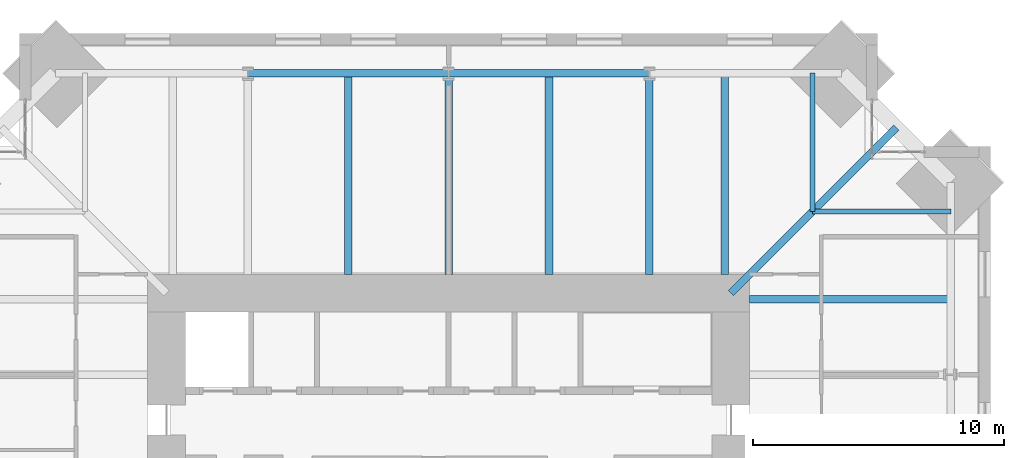
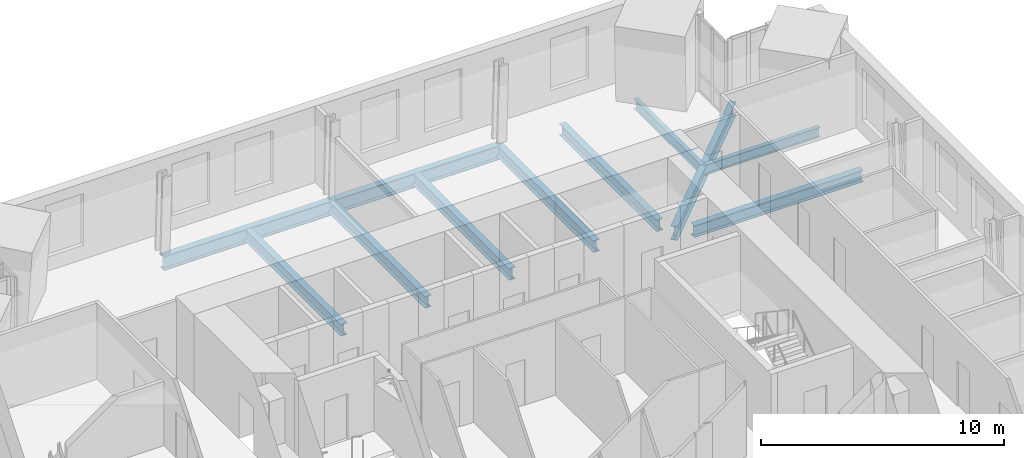
# One storey, part 7 of 16: 11 beams.
"""IFC4 building model written with IfcOpenShell, lengths in metres."""

from ifc_helpers import new_model, si_unit, direction, frame, origin, origin_2d, place, context, subcontext, project, spatial, i_section, extrude, material, material_profile, profile_set, type_object, element, save


model = new_model("IFC4")

# Units and contexts
model_context = context("Model", 3, precision=1e-05, world=origin(), true_north=direction((0.0, 1.0)))
body_context = subcontext(model_context, "Body", "Model", "MODEL_VIEW")
ifc_project = project(units=[si_unit("LENGTHUNIT", "METRE"), si_unit("AREAUNIT", "SQUARE_METRE"), si_unit("VOLUMEUNIT", "CUBIC_METRE"), si_unit("PLANEANGLEUNIT", "RADIAN"), si_unit("MASSUNIT", "GRAM", prefix="KILO")], contexts=[model_context])

# Site, building, storey
site_placement = place(None, origin())
site = spatial("IfcSite", under=ifc_project, at=site_placement, CompositionType="ELEMENT")
building_placement = place(site_placement, origin())
building = spatial("IfcBuilding", under=site, at=building_placement, Name="Peilmerk Tower", CompositionType="ELEMENT")
storey_placement = place(building_placement, frame((0.0, 0.0, 269.800048828125)))
storey = spatial("IfcBuildingStorey", under=building, at=storey_placement, Name="L60", CompositionType="ELEMENT", Elevation=269.800048828125)

# Beams
ifc_material = material(Name="Steel S355", Category="steel")
ifc_material_profile_1 = material_profile(ifc_material, i_section(OverallWidth=0.300048828125, OverallDepth=0.68994140625, WebThickness=0.014404296875, FlangeThickness=0.027099609375, at=origin_2d()), Name="HEA 700")
ifc_profile_set_1 = profile_set([ifc_material_profile_1], Name="Steel S355")
beam_type_1 = type_object("IfcBeamType", Name="B16 HEA 700 floor beam", PredefinedType="BEAM", material=ifc_profile_set_1)
beam_placement = place(storey_placement, frame((11.25, 11.25, -0.51513671875), z_axis=(0.707106781187, 0.707106781187, 0.0), x_axis=(-0.707106781187, 0.707106781187, 0.0)))
element("IfcBeam", 1, at=beam_placement, inside=storey, type_object=beam_type_1, Name="Corner girder L60", PredefinedType="BEAM", context=body_context, shape_type="SweptSolid", body=[
    extrude(i_section(OverallWidth=0.300048828125, OverallDepth=0.68994140625, WebThickness=0.014404296875, FlangeThickness=0.027099609375, at=origin_2d()), origin(), (0.0, 0.0, 1.0), 9.323486328125),
])
ifc_material_profile_2 = material_profile(ifc_material, i_section(OverallWidth=0.300048828125, OverallDepth=0.590087890625, WebThickness=0.012939453125, FlangeThickness=0.02490234375, at=origin_2d()), Name="HEA 600")
ifc_profile_set_2 = profile_set([ifc_material_profile_2], Name="Steel S355")
beam_type_2 = type_object("IfcBeamType", Name="B27 HEA 600 floor beam", PredefinedType="BEAM", material=ifc_profile_set_2)
for number, where, z_axis, x_axis, name in (
    (2, (11.0, 12.0, -0.465087890625), (0.0, 1.0, 0.0), (-1.0, 0.0, 0.0), "Floor beam L60"),
    (3, (8.0, 12.0, -0.465087890625), (0.0, 1.0, 0.0), (-1.0, 0.0, 0.0), "Floor beam L60"),
    (4, (4.0, 12.0, -0.465087890625), (0.0, 1.0, 0.0), (-1.0, 0.0, 0.0), "Floor beam L60"),
    (5, (0.0, 12.0, -0.465087890625), (0.0, 1.0, 0.0), (-1.0, 0.0, 0.0), "Floor beam L60"),
    (6, (-4.0, 12.0, -0.465087890625), (0.0, 1.0, 0.0), (-1.0, 0.0, 0.0), "Floor beam L60"),
    (7, (12.0, 11.0, -0.465087890625), (1.0, 0.0, 0.0), (0.0, 1.0, 0.0), "Floor beam L60"),
):
    element("IfcBeam", number, at=place(storey_placement, frame(where, z_axis=z_axis, x_axis=x_axis)), inside=storey, type_object=beam_type_2, Name=name, PredefinedType="BEAM", context=body_context, shape_type="SweptSolid", body=[
        extrude(i_section(OverallWidth=0.300048828125, OverallDepth=0.590087890625, WebThickness=0.012939453125, FlangeThickness=0.02490234375, at=origin_2d()), origin(), (0.0, 0.0, 1.0), 8.017822265625),
    ])
ifc_material_profile_3 = material_profile(ifc_material, i_section(OverallWidth=0.303955078125, OverallDepth=0.716064453125, WebThickness=0.02099609375, FlangeThickness=0.0400390625, at=origin_2d()), Name="HEM 700")
ifc_profile_set_3 = profile_set([ifc_material_profile_3], Name="Steel S355")
beam_type_3 = type_object("IfcBeamType", Name="B30 HEM 700 edge beam", PredefinedType="SPANDREL", material=ifc_profile_set_3)
for number, where, z_axis, x_axis, name in (
    (8, (8.0, 20.017822265625, -0.528076171875), (-1.0, 0.0, 0.0), (0.0, -1.0, 0.0), "Edge beam L60"),
    (9, (0.0, 20.017822265625, -0.528076171875), (-1.0, 0.0, 0.0), (0.0, -1.0, 0.0), "Edge beam L60"),
):
    element("IfcBeam", number, at=place(storey_placement, frame(where, z_axis=z_axis, x_axis=x_axis)), inside=storey, type_object=beam_type_3, Name=name, PredefinedType="SPANDREL", context=body_context, shape_type="SweptSolid", body=[
        extrude(i_section(OverallWidth=0.303955078125, OverallDepth=0.716064453125, WebThickness=0.02099609375, FlangeThickness=0.0400390625, at=origin_2d()), origin(), (0.0, 0.0, 1.0), 8.0),
    ])
ifc_material_profile_4 = material_profile(ifc_material, i_section(OverallWidth=0.199951171875, OverallDepth=0.5, WebThickness=0.01025390625, FlangeThickness=0.01611328125, at=origin_2d()), Name="IPE 500")
ifc_profile_set_4 = profile_set([ifc_material_profile_4], Name="Steel S355")
beam_type_4 = type_object("IfcBeamType", Name="B32 IPE 500 floor beam", PredefinedType="BEAM", material=ifc_profile_set_4)
for number, where, z_axis, x_axis, name in (
    (10, (14.5, 14.5, -0.420166015625), (0.0, 1.0, 0.0), (-1.0, 0.0, 0.0), "Floor beam L60"),
    (11, (14.5, 14.5, -0.420166015625), (1.0, 0.0, 0.0), (0.0, 1.0, 0.0), "Floor beam L60"),
):
    element("IfcBeam", number, at=place(storey_placement, frame(where, z_axis=z_axis, x_axis=x_axis)), inside=storey, type_object=beam_type_4, Name=name, PredefinedType="BEAM", context=body_context, shape_type="SweptSolid", body=[
        extrude(i_section(OverallWidth=0.199951171875, OverallDepth=0.5, WebThickness=0.01025390625, FlangeThickness=0.01611328125, at=origin_2d()), origin(), (0.0, 0.0, 1.0), 5.517822265625),
    ])

save(model, "model.ifc")
